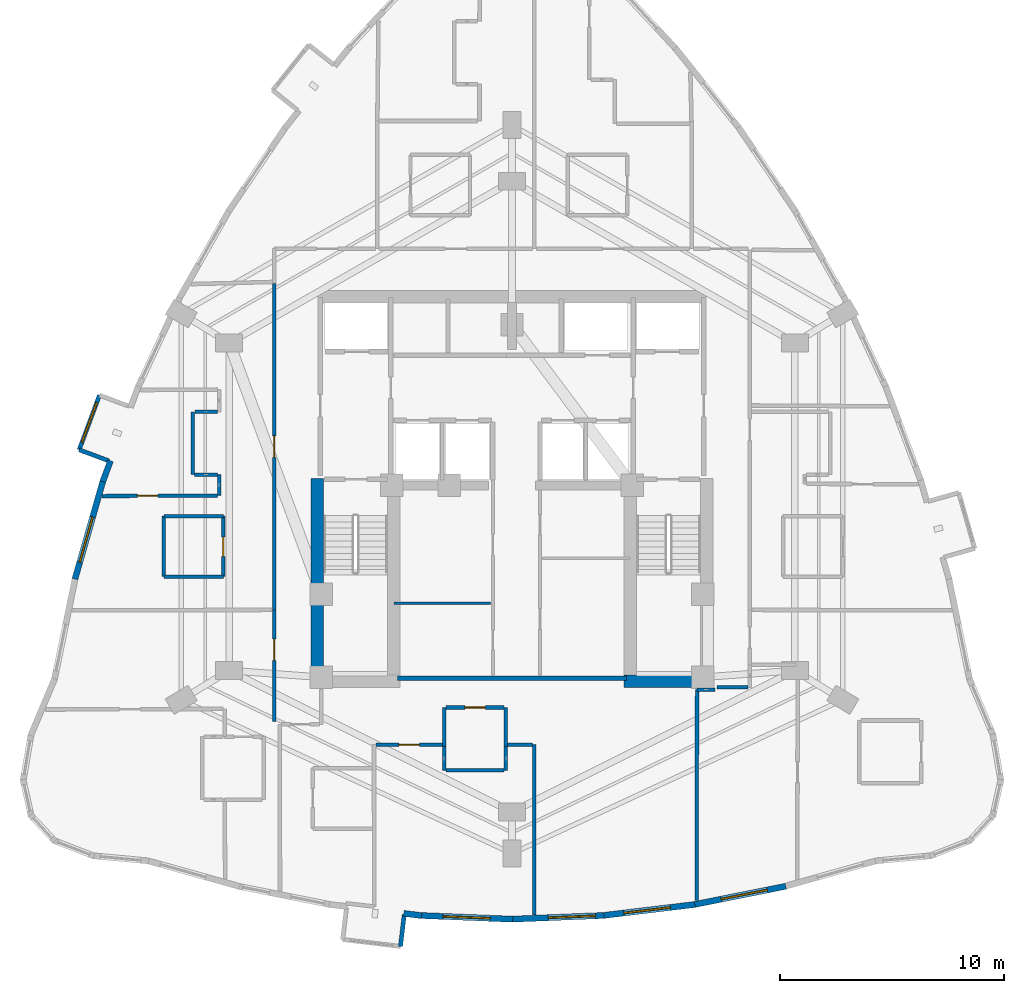
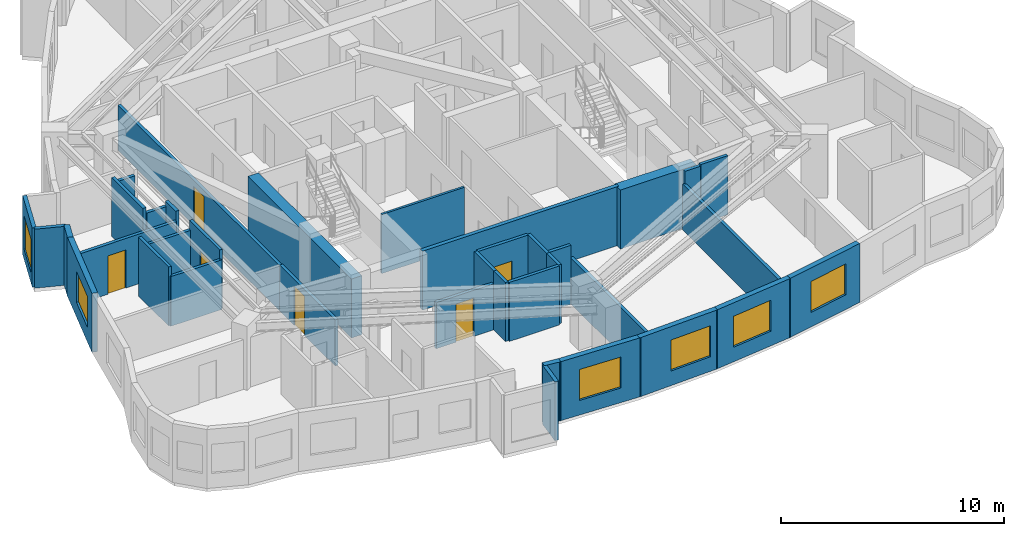
# One storey, part 9 of 14: 37 walls, 6 doors, 6 windows, 12 openings.
"""IFC4 building model written with IfcOpenShell, lengths in metres."""

from ifc_helpers import new_model, si_unit, direction, frame, frame_2d, origin, place, context, subcontext, project, spatial, rectangle, extrude, material, layer, layer_set, type_object, element, fill, save


model = new_model("IFC4")

# Units and contexts
model_context = context("Model", 3, precision=1e-05, world=origin(), true_north=direction((0.0, 1.0)))
body_context = subcontext(model_context, "Body", "Model", "MODEL_VIEW")
ifc_project = project(units=[si_unit("LENGTHUNIT", "METRE"), si_unit("AREAUNIT", "SQUARE_METRE"), si_unit("VOLUMEUNIT", "CUBIC_METRE"), si_unit("PLANEANGLEUNIT", "RADIAN"), si_unit("MASSUNIT", "GRAM", prefix="KILO")], contexts=[model_context])

# Site, building, storey
site_placement = place(None, origin())
site = spatial("IfcSite", under=ifc_project, at=site_placement, CompositionType="ELEMENT")
building_placement = place(site_placement, origin())
building = spatial("IfcBuilding", under=site, at=building_placement, Name="Miruveldt Soraemaru", CompositionType="ELEMENT")
storey_placement = place(building_placement, frame((0.0, 0.0, 128.39990234375)))
storey = spatial("IfcBuildingStorey", under=building, at=storey_placement, Name="L35", CompositionType="ELEMENT", Elevation=128.39990234375)

# Wall
ifc_material_1 = material(Name="White powder-coated aluminium EN AW-6060 T6", Category="aluminium")
ifc_layer_1 = layer(ifc_material_1, 0.18994140625, Name="White powder-coated aluminium EN AW-6060 T6", Category="aluminium")
ifc_layer_set_1 = layer_set([ifc_layer_1], Name="White powder-coated aluminium EN AW-6060 T6")
wall_type_1 = type_object("IfcWallType", Name="WALL-BAY-ALU190", PredefinedType="SOLIDWALL", material=ifc_layer_set_1)
wall_1_placement = place(storey_placement, frame((24.712646484375, 45.634521484375, 0.0), z_axis=(0.0, 0.0, 1.0), x_axis=(0.937129361406, -0.348982177182, 0.0)))
element("IfcWall", 1, at=wall_1_placement, inside=storey, type_object=wall_type_1, Name="L35 Bay Window Side Cheek 2R", PredefinedType="SOLIDWALL", context=body_context, shape_type="SweptSolid", body=[
    extrude(rectangle(XDim=1.425048828125, YDim=0.18994140625, at=frame_2d((0.71240234375, 0.0))), origin(), (0.0, 0.0, 1.0), 3.235107421875),
])

# Wall, opening, window
wall_2_placement = place(storey_placement, frame((25.6201171875, 48.071044921875, 0.0), z_axis=(0.0, 0.0, 1.0), x_axis=(-0.349023333144, -0.937114034107, 0.0)))
wall_2 = element("IfcWall", 2, at=wall_2_placement, inside=storey, type_object=wall_type_1, Name="L35 Bay Window Front Frame 2", PredefinedType="SOLIDWALL", context=body_context, shape_type="SweptSolid", body=[
    extrude(rectangle(XDim=2.60009765625, YDim=0.18994140625, at=frame_2d((1.300048828125, 0.0))), origin(), (0.0, 0.0, 1.0), 3.235107421875),
])
opening_1_placement = place(wall_2_placement, frame((0.35009765625, 0.0, 0.550048828125)))
opening_1 = element("IfcOpeningElement", 3, at=opening_1_placement, cuts=wall_2, Name="Opening WN-6", PredefinedType="OPENING", context=body_context, shape_type="SweptSolid", body=[
    extrude(rectangle(XDim=1.89990234375, YDim=1.85009765625, at=frame_2d((0.949951171875, 0.925048828125))), frame((0.0, 0.10498046875, 0.0), z_axis=(0.0, -1.0, 0.0), x_axis=(1.0, 0.0, 0.0)), (0.0, 0.0, 1.0), 0.2099609375),
])
ifc_material_2 = material(Name="Triple low-e insulated glazing", Category="glass")
window_type_1 = type_object("IfcWindowType", Name="WIN-BAYW-1900x1850", PartitioningType="SINGLE_PANEL", PredefinedType="WINDOW", material=ifc_material_2)
window_1_placement = place(opening_1_placement, origin())
window_1 = element("IfcWindow", 4, at=window_1_placement, inside=storey, type_object=window_type_1, Name="L35 Projecting Bay Window 2", OverallHeight=1.85009765625, OverallWidth=1.89990234375, PartitioningType="SINGLE_PANEL", PredefinedType="WINDOW", context=body_context, shape_type="SweptSolid", body=[
    extrude(rectangle(XDim=1.89990234375, YDim=1.85009765625, at=frame_2d((0.949951171875, 0.925048828125))), frame((0.0, 0.030029296875, 0.0), z_axis=(0.0, -1.0, 0.0), x_axis=(1.0, 0.0, 0.0)), (0.0, 0.0, 1.0), 0.06005859375),
])
fill(opening_1, window_1)

# Walls
wall_3_placement = place(storey_placement, frame((39.031494140625, 23.5029296875, 0.0), z_axis=(0.0, 0.0, 1.0), x_axis=(0.119246559468, 0.992864672579, 0.0)))
element("IfcWall", 5, at=wall_3_placement, inside=storey, type_object=wall_type_1, Name="L35 Bay Window Side Cheek 3R", PredefinedType="SOLIDWALL", context=body_context, shape_type="SweptSolid", body=[
    extrude(rectangle(XDim=1.425048828125, YDim=0.18994140625, at=frame_2d((0.71240234375, 0.0))), origin(), (0.0, 0.0, 1.0), 3.235107421875),
])
ifc_material_3 = material(Name="Concrete C70/85 (70 MPa)", Category="concrete")
ifc_layer_2 = layer(ifc_material_3, 0.550048828125, Name="Concrete C70/85 (70 MPa)", Category="concrete")
ifc_layer_set_2 = layer_set([ifc_layer_2], Name="Concrete C70/85 (70 MPa)")
wall_type_2 = type_object("IfcWallType", Name="WALL-CW-550", PredefinedType="SHEAR", material=ifc_layer_set_2)
wall_4_placement = place(storey_placement, frame((49.0, 35.324951171875, 0.0), z_axis=(0.0, 0.0, 1.0), x_axis=(1.0, 0.0, 0.0)))
element("IfcWall", 6, at=wall_4_placement, inside=storey, type_object=wall_type_2, Name="L35 Central Core Shear Wall S2", PredefinedType="SHEAR", context=body_context, shape_type="SweptSolid", body=[
    extrude(rectangle(XDim=3.949951171875, YDim=0.550048828125, at=frame_2d((1.97509765625, 0.0))), origin(), (0.0, 0.0, 1.0), 3.235107421875),
])
wall_5_placement = place(storey_placement, frame((35.324951171875, 35.050048828125, 0.0), z_axis=(0.0, 0.0, 1.0), x_axis=(0.0, 1.0, 0.0)))
element("IfcWall", 7, at=wall_5_placement, inside=storey, type_object=wall_type_2, Name="L35 Central Core Shear Wall W1", PredefinedType="SHEAR", context=body_context, shape_type="SweptSolid", body=[
    extrude(rectangle(XDim=9.300048828125, YDim=0.550048828125, at=frame_2d((4.64990234375, 0.0))), origin(), (0.0, 0.0, 1.0), 3.235107421875),
])
ifc_material_4 = material(Name="Precast concrete C45/55 (45 MPa)", Category="concrete")
ifc_layer_3 = layer(ifc_material_4, 0.27001953125, Name="Precast concrete C45/55 (45 MPa)", Category="concrete")
ifc_layer_set_3 = layer_set([ifc_layer_3], Name="Precast concrete C45/55 (45 MPa)")
wall_type_3 = type_object("IfcWallType", Name="WALL-EXT-PC270", PredefinedType="SOLIDWALL", material=ifc_layer_set_3)
wall_6_placement = place(storey_placement, frame((26.110107421875, 45.14599609375, 0.0), z_axis=(0.0, 0.0, 1.0), x_axis=(-0.349210573401, -0.937044276128, 0.0)))
element("IfcWall", 8, at=wall_6_placement, inside=storey, type_object=wall_type_3, Name="L35 Precast Pier Wall 12B", PredefinedType="SOLIDWALL", context=body_context, shape_type="SweptSolid", body=[
    extrude(rectangle(XDim=0.993408203125, YDim=0.27001953125, at=frame_2d((0.49658203125, 0.0))), origin(), (0.0, 0.0, 1.0), 3.235107421875),
])

# Wall, opening, window
wall_7_placement = place(storey_placement, frame((25.78515625, 44.281494140625, 0.0), z_axis=(0.0, 0.0, 1.0), x_axis=(-0.27498848087, -0.961447520871, 0.0)))
wall_7 = element("IfcWall", 9, at=wall_7_placement, inside=storey, type_object=wall_type_3, Name="L35 Precast Concrete Facade Wall 13", PredefinedType="SOLIDWALL", context=body_context, shape_type="SweptSolid", body=[
    extrude(rectangle(XDim=4.5830078125, YDim=0.27001953125, at=frame_2d((2.29150390625, 0.0))), origin(), (0.0, 0.0, 1.0), 3.235107421875),
])
opening_2_placement = place(wall_7_placement, frame((1.7080078125, 0.0, 0.800048828125)))
opening_2 = element("IfcOpeningElement", 10, at=opening_2_placement, cuts=wall_7, Name="Opening WN-1", PredefinedType="OPENING", context=body_context, shape_type="SweptSolid", body=[
    extrude(rectangle(XDim=2.10009765625, YDim=1.699951171875, at=frame_2d((1.050048828125, 0.85009765625))), frame((0.0, 0.14501953125, 0.0), z_axis=(0.0, -1.0, 0.0), x_axis=(1.0, 0.0, 0.0)), (0.0, 0.0, 1.0), 0.2900390625),
])
window_type_2 = type_object("IfcWindowType", Name="WIN-PUNCH-2100x1700", PartitioningType="SINGLE_PANEL", PredefinedType="WINDOW", material=ifc_material_2)
window_2_placement = place(opening_2_placement, origin())
window_2 = element("IfcWindow", 11, at=window_2_placement, inside=storey, type_object=window_type_2, Name="L35 Punched Triple-Glazed Window 13.1", OverallHeight=1.699951171875, OverallWidth=2.10009765625, PartitioningType="SINGLE_PANEL", PredefinedType="WINDOW", context=body_context, shape_type="SweptSolid", body=[
    extrude(rectangle(XDim=2.10009765625, YDim=1.699951171875, at=frame_2d((1.050048828125, 0.85009765625))), frame((0.0, 0.030029296875, 0.0), z_axis=(0.0, -1.0, 0.0), x_axis=(1.0, 0.0, 0.0)), (0.0, 0.0, 1.0), 0.06005859375),
])
fill(opening_2, window_2)

# Wall
wall_8_placement = place(storey_placement, frame((39.177978515625, 24.97607421875, 0.0), z_axis=(0.0, 0.0, 1.0), x_axis=(0.992875407362, -0.119157146056, 0.0)))
element("IfcWall", 12, at=wall_8_placement, inside=storey, type_object=wall_type_3, Name="L35 Precast Pier Wall 23B", PredefinedType="SOLIDWALL", context=body_context, shape_type="SweptSolid", body=[
    extrude(rectangle(XDim=0.807373046875, YDim=0.27001953125, at=frame_2d((0.40380859375, 0.0))), origin(), (0.0, 0.0, 1.0), 3.235107421875),
])

# Wall, opening, window
wall_9_placement = place(storey_placement, frame((39.909912109375, 24.885498046875, 0.0), z_axis=(0.0, 0.0, 1.0), x_axis=(0.999200580797, -0.039977485359, 0.0)))
wall_9 = element("IfcWall", 13, at=wall_9_placement, inside=storey, type_object=wall_type_3, Name="L35 Precast Concrete Facade Wall 24", PredefinedType="SOLIDWALL", context=body_context, shape_type="SweptSolid", body=[
    extrude(rectangle(XDim=4.12841796875, YDim=0.27001953125, at=frame_2d((2.064208984375, 0.0))), origin(), (0.0, 0.0, 1.0), 3.235107421875),
])
opening_3_placement = place(wall_9_placement, frame((1.013916015625, 0.0, 0.800048828125)))
opening_3 = element("IfcOpeningElement", 14, at=opening_3_placement, cuts=wall_9, Name="Opening WN-1", PredefinedType="OPENING", context=body_context, shape_type="SweptSolid", body=[
    extrude(rectangle(XDim=2.10009765625, YDim=1.699951171875, at=frame_2d((1.050048828125, 0.85009765625))), frame((0.0, 0.14501953125, 0.0), z_axis=(0.0, -1.0, 0.0), x_axis=(1.0, 0.0, 0.0)), (0.0, 0.0, 1.0), 0.2900390625),
])
window_3_placement = place(opening_3_placement, origin())
window_3 = element("IfcWindow", 15, at=window_3_placement, inside=storey, type_object=window_type_2, Name="L35 Punched Triple-Glazed Window 24.1", OverallHeight=1.699951171875, OverallWidth=2.10009765625, PartitioningType="SINGLE_PANEL", PredefinedType="WINDOW", context=body_context, shape_type="SweptSolid", body=[
    extrude(rectangle(XDim=2.10009765625, YDim=1.699951171875, at=frame_2d((1.050048828125, 0.85009765625))), frame((0.0, 0.030029296875, 0.0), z_axis=(0.0, -1.0, 0.0), x_axis=(1.0, 0.0, 0.0)), (0.0, 0.0, 1.0), 0.06005859375),
])
fill(opening_3, window_3)

wall_10_placement = place(storey_placement, frame((43.965087890625, 24.720458984375, 0.0), z_axis=(0.0, 0.0, 1.0), x_axis=(0.999200580797, 0.039977485359, 0.0)))
wall_10 = element("IfcWall", 16, at=wall_10_placement, inside=storey, type_object=wall_type_3, Name="L35 Precast Concrete Facade Wall 25", PredefinedType="SOLIDWALL", context=body_context, shape_type="SweptSolid", body=[
    extrude(rectangle(XDim=4.12841796875, YDim=0.27001953125, at=frame_2d((2.064208984375, 0.0))), origin(), (0.0, 0.0, 1.0), 3.235107421875),
])
opening_4_placement = place(wall_10_placement, frame((1.653076171875, 0.0, 0.800048828125)))
opening_4 = element("IfcOpeningElement", 17, at=opening_4_placement, cuts=wall_10, Name="Opening WN-1", PredefinedType="OPENING", context=body_context, shape_type="SweptSolid", body=[
    extrude(rectangle(XDim=2.10009765625, YDim=1.699951171875, at=frame_2d((1.050048828125, 0.85009765625))), frame((0.0, 0.14501953125, 0.0), z_axis=(0.0, -1.0, 0.0), x_axis=(1.0, 0.0, 0.0)), (0.0, 0.0, 1.0), 0.2900390625),
])
window_4_placement = place(opening_4_placement, origin())
window_4 = element("IfcWindow", 18, at=window_4_placement, inside=storey, type_object=window_type_2, Name="L35 Punched Triple-Glazed Window 25.1", OverallHeight=1.699951171875, OverallWidth=2.10009765625, PartitioningType="SINGLE_PANEL", PredefinedType="WINDOW", context=body_context, shape_type="SweptSolid", body=[
    extrude(rectangle(XDim=2.10009765625, YDim=1.699951171875, at=frame_2d((1.050048828125, 0.85009765625))), frame((0.0, 0.030029296875, 0.0), z_axis=(0.0, -1.0, 0.0), x_axis=(1.0, 0.0, 0.0)), (0.0, 0.0, 1.0), 0.06005859375),
])
fill(opening_4, window_4)

wall_11_placement = place(storey_placement, frame((48.0205078125, 24.8798828125, 0.0), z_axis=(0.0, 0.0, 1.0), x_axis=(0.992879619021, 0.119122047218, 0.0)))
wall_11 = element("IfcWall", 19, at=wall_11_placement, inside=storey, type_object=wall_type_3, Name="L35 Precast Concrete Facade Wall 26", PredefinedType="SOLIDWALL", context=body_context, shape_type="SweptSolid", body=[
    extrude(rectangle(XDim=4.154296875, YDim=0.27001953125, at=frame_2d((2.0771484375, 0.0))), origin(), (0.0, 0.0, 1.0), 3.235107421875),
])
opening_5_placement = place(wall_11_placement, frame((0.9599609375, 0.0, 0.800048828125)))
opening_5 = element("IfcOpeningElement", 20, at=opening_5_placement, cuts=wall_11, Name="Opening WN-1", PredefinedType="OPENING", context=body_context, shape_type="SweptSolid", body=[
    extrude(rectangle(XDim=2.10009765625, YDim=1.699951171875, at=frame_2d((1.050048828125, 0.85009765625))), frame((0.0, 0.14501953125, 0.0), z_axis=(0.0, -1.0, 0.0), x_axis=(1.0, 0.0, 0.0)), (0.0, 0.0, 1.0), 0.2900390625),
])
window_5_placement = place(opening_5_placement, origin())
window_5 = element("IfcWindow", 21, at=window_5_placement, inside=storey, type_object=window_type_2, Name="L35 Punched Triple-Glazed Window 26.1", OverallHeight=1.699951171875, OverallWidth=2.10009765625, PartitioningType="SINGLE_PANEL", PredefinedType="WINDOW", context=body_context, shape_type="SweptSolid", body=[
    extrude(rectangle(XDim=2.10009765625, YDim=1.699951171875, at=frame_2d((1.050048828125, 0.85009765625))), frame((0.0, 0.030029296875, 0.0), z_axis=(0.0, -1.0, 0.0), x_axis=(1.0, 0.0, 0.0)), (0.0, 0.0, 1.0), 0.06005859375),
])
fill(opening_5, window_5)

wall_12_placement = place(storey_placement, frame((52.076171875, 25.36376953125, 0.0), z_axis=(0.0, 0.0, 1.0), x_axis=(0.980571743457, 0.196160791021, 0.0)))
wall_12 = element("IfcWall", 22, at=wall_12_placement, inside=storey, type_object=wall_type_3, Name="L35 Precast Concrete Facade Wall 27", PredefinedType="SOLIDWALL", context=body_context, shape_type="SweptSolid", body=[
    extrude(rectangle(XDim=4.20556640625, YDim=0.27001953125, at=frame_2d((2.102783203125, 0.0))), origin(), (0.0, 0.0, 1.0), 3.235107421875),
])
opening_6_placement = place(wall_12_placement, frame((1.26611328125, 0.0, 0.800048828125)))
opening_6 = element("IfcOpeningElement", 23, at=opening_6_placement, cuts=wall_12, Name="Opening WN-1", PredefinedType="OPENING", context=body_context, shape_type="SweptSolid", body=[
    extrude(rectangle(XDim=2.10009765625, YDim=1.699951171875, at=frame_2d((1.050048828125, 0.85009765625))), frame((0.0, 0.14501953125, 0.0), z_axis=(0.0, -1.0, 0.0), x_axis=(1.0, 0.0, 0.0)), (0.0, 0.0, 1.0), 0.2900390625),
])
window_6_placement = place(opening_6_placement, origin())
window_6 = element("IfcWindow", 24, at=window_6_placement, inside=storey, type_object=window_type_2, Name="L35 Punched Triple-Glazed Window 27.1", OverallHeight=1.699951171875, OverallWidth=2.10009765625, PartitioningType="SINGLE_PANEL", PredefinedType="WINDOW", context=body_context, shape_type="SweptSolid", body=[
    extrude(rectangle(XDim=2.10009765625, YDim=1.699951171875, at=frame_2d((1.050048828125, 0.85009765625))), frame((0.0, 0.030029296875, 0.0), z_axis=(0.0, -1.0, 0.0), x_axis=(1.0, 0.0, 0.0)), (0.0, 0.0, 1.0), 0.06005859375),
])
fill(opening_6, window_6)

# Wall
ifc_material_5 = material(Name="Gypsum plasterboard lining", Category="gypsum")
ifc_layer_4 = layer(ifc_material_5, 0.1201171875, Name="Gypsum plasterboard lining", Category="gypsum")
ifc_layer_set_4 = layer_set([ifc_layer_4], Name="Gypsum plasterboard lining")
wall_type_4 = type_object("IfcWallType", Name="WALL-INT-P120", PredefinedType="PARTITIONING", material=ifc_layer_set_4)
wall_13_placement = place(storey_placement, frame((38.75, 38.800048828125, 0.0), z_axis=(0.0, 0.0, 1.0), x_axis=(1.0, 0.0, 0.0)))
element("IfcWall", 25, at=wall_13_placement, inside=storey, type_object=wall_type_4, Name="L35 Core Compartment Wall RL-W2H", PredefinedType="PARTITIONING", context=body_context, shape_type="SweptSolid", body=[
    extrude(rectangle(XDim=4.300048828125, YDim=0.1201171875, at=frame_2d((2.14990234375, 0.0))), origin(), (0.0, 0.0, 1.0), 3.235107421875),
])

# Wall, opening, door
ifc_layer_5 = layer(ifc_material_5, 0.14990234375, Name="Gypsum plasterboard lining", Category="gypsum")
ifc_layer_set_5 = layer_set([ifc_layer_5], Name="Gypsum plasterboard lining")
wall_type_5 = type_object("IfcWallType", Name="WALL-INT-PLUMB", PredefinedType="PLUMBINGWALL", material=ifc_layer_set_5)
wall_14_placement = place(storey_placement, frame((31.135009765625, 39.97998046875, 0.0), z_axis=(0.0, 0.0, 1.0), x_axis=(0.0, 1.0, 0.0)))
wall_14 = element("IfcWall", 26, at=wall_14_placement, inside=storey, type_object=wall_type_5, Name="L35 Partition Wall 38", PredefinedType="PLUMBINGWALL", context=body_context, shape_type="SweptSolid", body=[
    extrude(rectangle(XDim=2.699951171875, YDim=0.14990234375, at=frame_2d((1.35009765625, 0.0))), origin(), (0.0, 0.0, 1.0), 3.235107421875),
])
opening_7_placement = place(wall_14_placement, frame((0.909912109375, 0.0, 0.0)))
opening_7 = element("IfcOpeningElement", 27, at=opening_7_placement, cuts=wall_14, Name="Opening FD3", PredefinedType="OPENING", context=body_context, shape_type="SweptSolid", body=[
    extrude(rectangle(XDim=0.85009765625, YDim=2.10009765625, at=frame_2d((0.425048828125, 1.050048828125))), frame((0.0, 0.0849609375, 0.0), z_axis=(0.0, -1.0, 0.0), x_axis=(1.0, 0.0, 0.0)), (0.0, 0.0, 1.0), 0.169921875),
])
ifc_material_6 = material(Name="Anodised aluminium EN AW-6063 T6", Category="aluminium")
door_type_1 = type_object("IfcDoorType", Name="DOOR-FD3-850", OperationType="NOTDEFINED", PredefinedType="DOOR", material=ifc_material_6)
door_1_placement = place(opening_7_placement, origin())
door_1 = element("IfcDoor", 28, at=door_1_placement, inside=storey, type_object=door_type_1, Name="L35 Unit 3505 BTH Door", OperationType="SINGLE_SWING_RIGHT", OverallHeight=2.10009765625, OverallWidth=0.85009765625, PredefinedType="DOOR", context=body_context, shape_type="SweptSolid", body=[
    extrude(rectangle(XDim=0.85009765625, YDim=2.10009765625, at=frame_2d((0.425048828125, 1.050048828125))), frame((0.0, 0.02490234375, 0.0), z_axis=(0.0, -1.0, 0.0), x_axis=(1.0, 0.0, 0.0)), (0.0, 0.0, 1.0), 0.050048828125),
])
fill(opening_7, door_1)

# Walls
wall_15_placement = place(storey_placement, frame((28.485107421875, 42.679931640625, 0.0), z_axis=(0.0, 0.0, 1.0), x_axis=(0.0, -1.0, 0.0)))
element("IfcWall", 29, at=wall_15_placement, inside=storey, type_object=wall_type_5, Name="L35 Partition Wall 40", PredefinedType="PLUMBINGWALL", context=body_context, shape_type="SweptSolid", body=[
    extrude(rectangle(XDim=2.699951171875, YDim=0.14990234375, at=frame_2d((1.35009765625, 0.0))), origin(), (0.0, 0.0, 1.0), 3.235107421875),
])
for number, where, z_axis, x_axis, name in (
    (30, (31.135009765625, 42.679931640625, 0.0), (0.0, 0.0, 1.0), (-1.0, 0.0, 0.0), "L35 Partition Wall 39"),
    (31, (28.485107421875, 39.97998046875, 0.0), (0.0, 0.0, 1.0), (1.0, 0.0, 0.0), "L35 Partition Wall 41"),
):
    element("IfcWall", number, at=place(storey_placement, frame(where, z_axis=z_axis, x_axis=x_axis)), inside=storey, type_object=wall_type_5, Name=name, PredefinedType="PLUMBINGWALL", context=body_context, shape_type="SweptSolid", body=[
        extrude(rectangle(XDim=2.64990234375, YDim=0.14990234375, at=frame_2d((1.324951171875, 0.0))), origin(), (0.0, 0.0, 1.0), 2.72314453125),
    ])

# Wall, opening, door
ifc_material_7 = material(Name="Concrete C40/50 (40 MPa)", Category="concrete")
ifc_layer_6 = layer(ifc_material_7, 0.159912109375, Name="Concrete C40/50 (40 MPa)", Category="concrete")
ifc_layer_set_6 = layer_set([ifc_layer_6], Name="Concrete C40/50 (40 MPa)")
wall_type_6 = type_object("IfcWallType", Name="WALL-INT-RC160", PredefinedType="SOLIDWALL", material=ifc_layer_set_6)
wall_16_placement = place(storey_placement, frame((33.39990234375, 53.0458984375, 0.0), z_axis=(0.0, 0.0, 1.0), x_axis=(0.0, -1.0, 0.0)))
wall_16 = element("IfcWall", 32, at=wall_16_placement, inside=storey, type_object=wall_type_6, Name="L35 Partition Wall 6", PredefinedType="SOLIDWALL", context=body_context, shape_type="SweptSolid", body=[
    extrude(rectangle(XDim=14.5419921875, YDim=0.159912109375, at=frame_2d((7.27099609375, 0.0))), origin(), (0.0, 0.0, 1.0), 2.47314453125),
])
opening_8_placement = place(wall_16_placement, frame((6.7958984375, 0.0, 0.0)))
opening_8 = element("IfcOpeningElement", 33, at=opening_8_placement, cuts=wall_16, Name="Opening FD2", PredefinedType="OPENING", context=body_context, shape_type="SweptSolid", body=[
    extrude(rectangle(XDim=0.949951171875, YDim=2.14990234375, at=frame_2d((0.47509765625, 1.074951171875))), frame((0.0, 0.08984375, 0.0), z_axis=(0.0, -1.0, 0.0), x_axis=(1.0, 0.0, 0.0)), (0.0, 0.0, 1.0), 0.179931640625),
])
door_type_2 = type_object("IfcDoorType", Name="DOOR-FD2-950", OperationType="NOTDEFINED", PredefinedType="DOOR", material=ifc_material_6)
door_2_placement = place(opening_8_placement, origin())
door_2 = element("IfcDoor", 34, at=door_2_placement, inside=storey, type_object=door_type_2, Name="L35 Unit 3505 Entrance Fire Door", OperationType="SINGLE_SWING_LEFT", OverallHeight=2.14990234375, OverallWidth=0.949951171875, PredefinedType="DOOR", context=body_context, shape_type="SweptSolid", body=[
    extrude(rectangle(XDim=0.949951171875, YDim=2.14990234375, at=frame_2d((0.47509765625, 1.074951171875))), frame((0.0, 0.02490234375, 0.0), z_axis=(0.0, -1.0, 0.0), x_axis=(1.0, 0.0, 0.0)), (0.0, 0.0, 1.0), 0.050048828125),
])
fill(opening_8, door_2)

wall_17_placement = place(storey_placement, frame((30.8701171875, 43.593017578125, 0.0), z_axis=(0.0, 0.0, 1.0), x_axis=(-0.999993113267, -0.003711255785, 0.0)))
wall_17 = element("IfcWall", 35, at=wall_17_placement, inside=storey, type_object=wall_type_6, Name="L35 Partition Wall 48", PredefinedType="SOLIDWALL", context=body_context, shape_type="SweptSolid", body=[
    extrude(rectangle(XDim=5.131103515625, YDim=0.159912109375, at=frame_2d((2.5654296875, 0.0))), origin(), (0.0, 0.0, 1.0), 2.72314453125),
])
opening_9_placement = place(wall_17_placement, frame((2.64599609375, 0.0, 0.0)))
opening_9 = element("IfcOpeningElement", 36, at=opening_9_placement, cuts=wall_17, Name="Opening D3A", PredefinedType="OPENING", context=body_context, shape_type="SweptSolid", body=[
    extrude(rectangle(XDim=0.919921875, YDim=2.10009765625, at=frame_2d((0.4599609375, 1.050048828125))), frame((0.0, 0.08984375, 0.0), z_axis=(0.0, -1.0, 0.0), x_axis=(1.0, 0.0, 0.0)), (0.0, 0.0, 1.0), 0.179931640625),
])
door_type_3 = type_object("IfcDoorType", Name="DOOR-INT-920", OperationType="NOTDEFINED", PredefinedType="DOOR", material=ifc_material_6)
door_3_placement = place(opening_9_placement, origin())
door_3 = element("IfcDoor", 37, at=door_3_placement, inside=storey, type_object=door_type_3, Name="L35 Unit 3505 BD1 Door", OperationType="SINGLE_SWING_LEFT", OverallHeight=2.10009765625, OverallWidth=0.919921875, PredefinedType="DOOR", context=body_context, shape_type="SweptSolid", body=[
    extrude(rectangle(XDim=0.919921875, YDim=2.10009765625, at=frame_2d((0.4599609375, 1.050048828125))), frame((0.0, 0.02490234375, 0.0), z_axis=(0.0, -1.0, 0.0), x_axis=(1.0, 0.0, 0.0)), (0.0, 0.0, 1.0), 0.050048828125),
])
fill(opening_9, door_3)

wall_18_placement = place(storey_placement, frame((33.39990234375, 38.4970703125, 0.0), z_axis=(0.0, 0.0, 1.0), x_axis=(0.0, -1.0, 0.0)))
wall_18 = element("IfcWall", 38, at=wall_18_placement, inside=storey, type_object=wall_type_6, Name="L35 Partition Wall 8", PredefinedType="SOLIDWALL", context=body_context, shape_type="SweptSolid", body=[
    extrude(rectangle(XDim=4.97705078125, YDim=0.159912109375, at=frame_2d((2.488525390625, 0.0))), origin(), (0.0, 0.0, 1.0), 2.523193359375),
])
opening_10_placement = place(wall_18_placement, frame((1.29296875, 0.0, 0.0)))
opening_10 = element("IfcOpeningElement", 39, at=opening_10_placement, cuts=wall_18, Name="Opening FD2", PredefinedType="OPENING", context=body_context, shape_type="SweptSolid", body=[
    extrude(rectangle(XDim=0.949951171875, YDim=2.14990234375, at=frame_2d((0.47509765625, 1.074951171875))), frame((0.0, 0.08984375, 0.0), z_axis=(0.0, -1.0, 0.0), x_axis=(1.0, 0.0, 0.0)), (0.0, 0.0, 1.0), 0.179931640625),
])
door_4_placement = place(opening_10_placement, origin())
door_4 = element("IfcDoor", 40, at=door_4_placement, inside=storey, type_object=door_type_2, Name="L35 Unit 3507 Entrance Fire Door", OperationType="SINGLE_SWING_LEFT", OverallHeight=2.14990234375, OverallWidth=0.949951171875, PredefinedType="DOOR", context=body_context, shape_type="SweptSolid", body=[
    extrude(rectangle(XDim=0.949951171875, YDim=2.14990234375, at=frame_2d((0.47509765625, 1.074951171875))), frame((0.0, 0.02490234375, 0.0), z_axis=(0.0, -1.0, 0.0), x_axis=(1.0, 0.0, 0.0)), (0.0, 0.0, 1.0), 0.050048828125),
])
fill(opening_10, door_4)

wall_19_placement = place(storey_placement, frame((37.929931640625, 32.5, 0.0), z_axis=(0.0, 0.0, 1.0), x_axis=(1.0, 0.0, 0.0)))
wall_19 = element("IfcWall", 41, at=wall_19_placement, inside=storey, type_object=wall_type_6, Name="L35 Partition Wall 76", PredefinedType="SOLIDWALL", context=body_context, shape_type="SweptSolid", body=[
    extrude(rectangle(XDim=2.969970703125, YDim=0.159912109375, at=frame_2d((1.48486328125, 0.0))), origin(), (0.0, 0.0, 1.0), 2.523193359375),
])
opening_11_placement = place(wall_19_placement, frame((1.02490234375, 0.0, 0.0)))
opening_11 = element("IfcOpeningElement", 42, at=opening_11_placement, cuts=wall_19, Name="Opening D3A", PredefinedType="OPENING", context=body_context, shape_type="SweptSolid", body=[
    extrude(rectangle(XDim=0.919921875, YDim=2.10009765625, at=frame_2d((0.4599609375, 1.050048828125))), frame((0.0, 0.08984375, 0.0), z_axis=(0.0, -1.0, 0.0), x_axis=(1.0, 0.0, 0.0)), (0.0, 0.0, 1.0), 0.179931640625),
])
door_5_placement = place(opening_11_placement, origin())
door_5 = element("IfcDoor", 43, at=door_5_placement, inside=storey, type_object=door_type_3, Name="L35 Unit 3508 BD1 Door", OperationType="SINGLE_SWING_LEFT", OverallHeight=2.10009765625, OverallWidth=0.919921875, PredefinedType="DOOR", context=body_context, shape_type="SweptSolid", body=[
    extrude(rectangle(XDim=0.919921875, YDim=2.10009765625, at=frame_2d((0.4599609375, 1.050048828125))), frame((0.0, 0.02490234375, 0.0), z_axis=(0.0, -1.0, 0.0), x_axis=(1.0, 0.0, 0.0)), (0.0, 0.0, 1.0), 0.050048828125),
])
fill(opening_11, door_5)

wall_20_placement = place(storey_placement, frame((43.64990234375, 34.154052734375, 0.0), z_axis=(0.0, 0.0, 1.0), x_axis=(-1.0, 0.0, 0.0)))
wall_20 = element("IfcWall", 44, at=wall_20_placement, inside=storey, type_object=wall_type_6, Name="L35 Partition Wall 74", PredefinedType="SOLIDWALL", context=body_context, shape_type="SweptSolid", body=[
    extrude(rectangle(XDim=2.58984375, YDim=0.159912109375, at=frame_2d((1.294921875, 0.0))), origin(), (0.0, 0.0, 1.0), 3.235107421875),
])
opening_12_placement = place(wall_20_placement, frame((0.8349609375, 0.0, 0.0)))
opening_12 = element("IfcOpeningElement", 45, at=opening_12_placement, cuts=wall_20, Name="Opening D3A", PredefinedType="OPENING", context=body_context, shape_type="SweptSolid", body=[
    extrude(rectangle(XDim=0.919921875, YDim=2.10009765625, at=frame_2d((0.4599609375, 1.050048828125))), frame((0.0, 0.08984375, 0.0), z_axis=(0.0, -1.0, 0.0), x_axis=(1.0, 0.0, 0.0)), (0.0, 0.0, 1.0), 0.179931640625),
])
door_6_placement = place(opening_12_placement, origin())
door_6 = element("IfcDoor", 46, at=door_6_placement, inside=storey, type_object=door_type_3, Name="L35 Unit 3508 KIT Door", OperationType="SINGLE_SWING_RIGHT", OverallHeight=2.10009765625, OverallWidth=0.919921875, PredefinedType="DOOR", context=body_context, shape_type="SweptSolid", body=[
    extrude(rectangle(XDim=0.919921875, YDim=2.10009765625, at=frame_2d((0.4599609375, 1.050048828125))), frame((0.0, 0.02490234375, 0.0), z_axis=(0.0, -1.0, 0.0), x_axis=(1.0, 0.0, 0.0)), (0.0, 0.0, 1.0), 0.050048828125),
])
fill(opening_12, door_6)

# Walls
wall_21_placement = place(storey_placement, frame((52.23095703125, 25.548095703125, 0.0), z_axis=(0.0, 0.0, 1.0), x_axis=(0.001506100603, 0.99999886583, 0.0)))
element("IfcWall", 47, at=wall_21_placement, inside=storey, type_object=wall_type_6, Name="L35 Partition Wall 91", PredefinedType="SOLIDWALL", context=body_context, shape_type="SweptSolid", body=[
    extrude(rectangle(XDim=9.40185546875, YDim=0.159912109375, at=frame_2d((4.700927734375, 0.0))), origin(), (0.0, 0.0, 1.0), 2.523193359375),
])
wall_22_placement = place(storey_placement, frame((45.0, 32.5, 0.0), z_axis=(0.0, 0.0, 1.0), x_axis=(-0.000386100357, -0.999999925463, 0.0)))
element("IfcWall", 48, at=wall_22_placement, inside=storey, type_object=wall_type_6, Name="L35 Partition Wall 90", PredefinedType="SOLIDWALL", context=body_context, shape_type="SweptSolid", body=[
    extrude(rectangle(XDim=7.587890625, YDim=0.159912109375, at=frame_2d((3.7939453125, 0.0))), origin(), (0.0, 0.0, 1.0), 2.523193359375),
])
wall_23_placement = place(storey_placement, frame((29.784912109375, 47.330078125, 0.0), z_axis=(0.0, 0.0, 1.0), x_axis=(0.0, -1.0, 0.0)))
element("IfcWall", 49, at=wall_23_placement, inside=storey, type_object=wall_type_6, Name="L35 Partition Wall 45", PredefinedType="SOLIDWALL", context=body_context, shape_type="SweptSolid", body=[
    extrude(rectangle(XDim=2.800048828125, YDim=0.159912109375, at=frame_2d((1.39990234375, 0.0))), origin(), (0.0, 0.0, 1.0), 3.235107421875),
])
wall_24_placement = place(storey_placement, frame((41.06005859375, 31.35400390625, 0.0), z_axis=(0.0, 0.0, 1.0), x_axis=(1.0, 0.0, 0.0)))
element("IfcWall", 50, at=wall_24_placement, inside=storey, type_object=wall_type_6, Name="L35 Partition Wall 79", PredefinedType="SOLIDWALL", context=body_context, shape_type="SweptSolid", body=[
    extrude(rectangle(XDim=2.58984375, YDim=0.159912109375, at=frame_2d((1.294921875, 0.0))), origin(), (0.0, 0.0, 1.0), 3.235107421875),
])
for number, where, z_axis, x_axis, name in (
    (51, (43.72998046875, 32.409912109375, 0.0), (0.0, 0.0, 1.0), (0.0, 1.0, 0.0), "L35 Partition Wall 73"),
    (52, (40.97998046875, 34.154052734375, 0.0), (0.0, 0.0, 1.0), (0.0, -1.0, 0.0), "L35 Partition Wall 75"),
):
    element("IfcWall", number, at=place(storey_placement, frame(where, z_axis=z_axis, x_axis=x_axis)), inside=storey, type_object=wall_type_6, Name=name, PredefinedType="SOLIDWALL", context=body_context, shape_type="SweptSolid", body=[
        extrude(rectangle(XDim=1.744140625, YDim=0.159912109375, at=frame_2d((0.8720703125, 0.0))), origin(), (0.0, 0.0, 1.0), 3.235107421875),
    ])
wall_25_placement = place(storey_placement, frame((53.1298828125, 35.050048828125, 0.0), z_axis=(0.0, 0.0, 1.0), x_axis=(1.0, 0.0, 0.0)))
element("IfcWall", 53, at=wall_25_placement, inside=storey, type_object=wall_type_6, Name="L35 Partition Wall 12", PredefinedType="SOLIDWALL", context=body_context, shape_type="SweptSolid", body=[
    extrude(rectangle(XDim=1.39013671875, YDim=0.159912109375, at=frame_2d((0.695068359375, 0.0))), origin(), (0.0, 0.0, 1.0), 3.235107421875),
])
for number, where, z_axis, x_axis, name in (
    (54, (40.97998046875, 32.409912109375, 0.0), (0.0, 0.0, 1.0), (0.0, -1.0, 0.0), "L35 Partition Wall 78"),
    (55, (43.72998046875, 31.35400390625, 0.0), (0.0, 0.0, 1.0), (0.0, 1.0, 0.0), "L35 Partition Wall 80"),
):
    element("IfcWall", number, at=place(storey_placement, frame(where, z_axis=z_axis, x_axis=x_axis)), inside=storey, type_object=wall_type_6, Name=name, PredefinedType="SOLIDWALL", context=body_context, shape_type="SweptSolid", body=[
        extrude(rectangle(XDim=1.055908203125, YDim=0.159912109375, at=frame_2d((0.52783203125, 0.0))), origin(), (0.0, 0.0, 1.0), 3.235107421875),
    ])
wall_26_placement = place(storey_placement, frame((43.81005859375, 32.5, 0.0), z_axis=(0.0, 0.0, 1.0), x_axis=(1.0, 0.0, 0.0)))
element("IfcWall", 56, at=wall_26_placement, inside=storey, type_object=wall_type_6, Name="L35 Partition Wall 77", PredefinedType="SOLIDWALL", context=body_context, shape_type="SweptSolid", body=[
    extrude(rectangle(XDim=1.10986328125, YDim=0.159912109375, at=frame_2d((0.554931640625, 0.0))), origin(), (0.0, 0.0, 1.0), 3.235107421875),
])
for number, where, z_axis, x_axis, name in (
    (57, (30.8701171875, 47.330078125, 0.0), (0.0, 0.0, 1.0), (-1.0, 0.0, 0.0), "L35 Partition Wall 44"),
    (58, (29.864990234375, 44.530029296875, 0.0), (0.0, 0.0, 1.0), (1.0, 0.0, 0.0), "L35 Partition Wall 46"),
):
    element("IfcWall", number, at=place(storey_placement, frame(where, z_axis=z_axis, x_axis=x_axis)), inside=storey, type_object=wall_type_6, Name=name, PredefinedType="SOLIDWALL", context=body_context, shape_type="SweptSolid", body=[
        extrude(rectangle(XDim=1.005126953125, YDim=0.159912109375, at=frame_2d((0.50244140625, 0.0))), origin(), (0.0, 0.0, 1.0), 2.97314453125),
    ])
wall_27_placement = place(storey_placement, frame((30.949951171875, 44.530029296875, 0.0), z_axis=(0.0, 0.0, 1.0), x_axis=(0.0, -1.0, 0.0)))
element("IfcWall", 59, at=wall_27_placement, inside=storey, type_object=wall_type_6, Name="L35 Partition Wall 47", PredefinedType="SOLIDWALL", context=body_context, shape_type="SweptSolid", body=[
    extrude(rectangle(XDim=0.93701171875, YDim=0.159912109375, at=frame_2d((0.468505859375, 0.0))), origin(), (0.0, 0.0, 1.0), 3.235107421875),
])
wall_28_placement = place(storey_placement, frame((52.2451171875, 34.949951171875, 0.0), z_axis=(0.0, 0.0, 1.0), x_axis=(1.0, 0.0, 0.0)))
element("IfcWall", 60, at=wall_28_placement, inside=storey, type_object=wall_type_6, Name="L35 Partition Wall 92", PredefinedType="SOLIDWALL", context=body_context, shape_type="SweptSolid", body=[
    extrude(rectangle(XDim=0.804931640625, YDim=0.159912109375, at=frame_2d((0.40234375, 0.0))), origin(), (0.0, 0.0, 1.0), 3.235107421875),
])
ifc_layer_7 = layer(ifc_material_7, 0.199951171875, Name="Concrete C40/50 (40 MPa)", Category="concrete")
ifc_layer_set_7 = layer_set([ifc_layer_7], Name="Concrete C40/50 (40 MPa)")
wall_type_7 = type_object("IfcWallType", Name="WALL-INT-RC200", PredefinedType="SOLIDWALL", material=ifc_layer_set_7)
wall_29_placement = place(storey_placement, frame((38.89990234375, 35.449951171875, 0.0), z_axis=(0.0, 0.0, 1.0), x_axis=(1.0, 0.0, 0.0)))
element("IfcWall", 61, at=wall_29_placement, inside=storey, type_object=wall_type_7, Name="L35 Core Compartment Wall CS-S", PredefinedType="SOLIDWALL", context=body_context, shape_type="SweptSolid", body=[
    extrude(rectangle(XDim=10.2001953125, YDim=0.199951171875, at=frame_2d((5.10009765625, 0.0))), origin(), (0.0, 0.0, 1.0), 3.235107421875),
])

save(model, "model.ifc")
